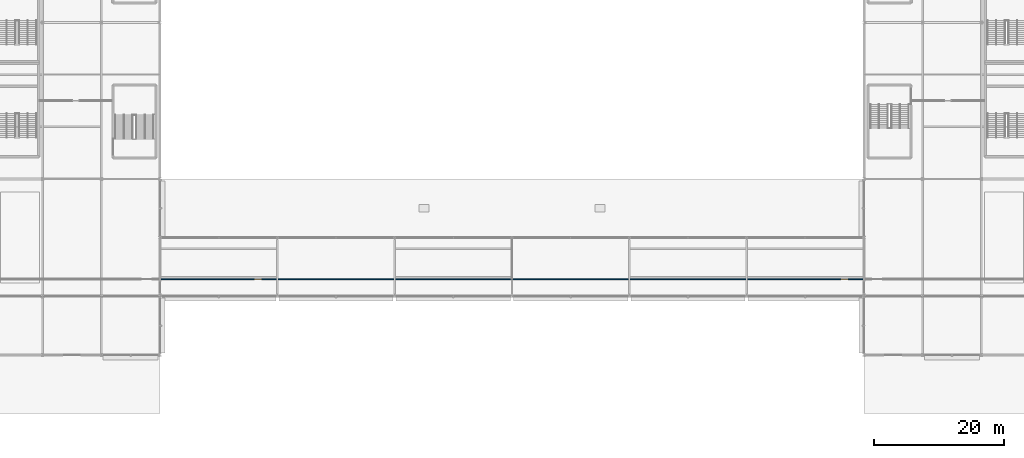
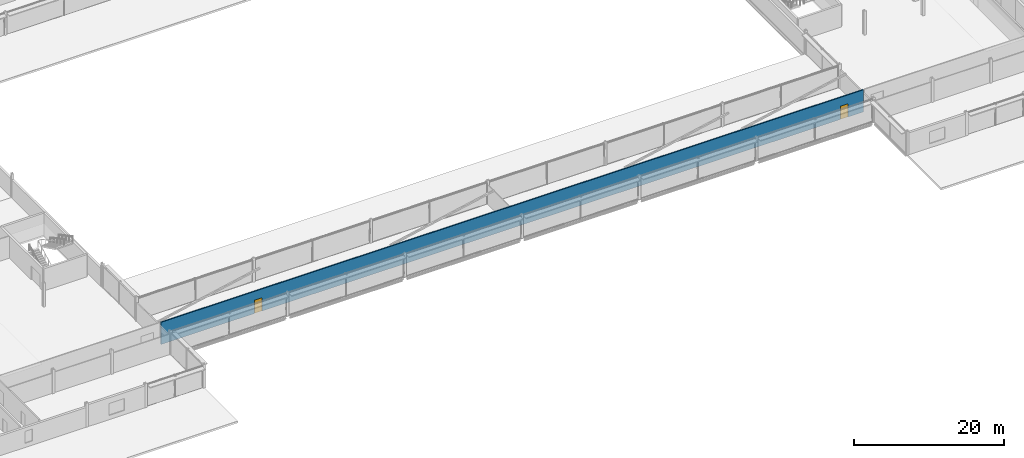
# One storey, part 62 of 105: 2 doors, 1 wall, 2 openings.
"""IFC4 building model written with IfcOpenShell, lengths in metres."""

import ifcopenshell
import ifcopenshell.guid

model = None  # the IFC model being written
_history = None  # IfcOwnerHistory: only IFC2X3 demands one
_inside = {}  # id of a spatial element -> (the spatial element, [elements in it])
_under = {}  # id of a project, library or spatial element -> (it, [spatial elements below it])
_declared = {}  # id of a project -> (the project, [libraries it declares])
_typed = {}  # id of a type object -> (the type object, [elements of that type])
_made_of = {}  # id of a material, layer set ... -> (it, [elements and type objects made of it])


def new_model(schema):
    """Start an empty IFC model of exactly this schema.

    Asked for "IFC4X3", IfcOpenShell would pick the latest addendum, in which some entities
    have other attributes; the version numbers below select the first issue.
    IFC2X3 requires an IfcOwnerHistory on every rooted entity: one is made here for all.
    """
    global model, _history
    if schema == "IFC4X3":
        model = ifcopenshell.file(schema_version=(4, 3, 0, 0))
    else:
        model = ifcopenshell.file(schema=schema)
    _inside.clear()
    _under.clear()
    _declared.clear()
    _typed.clear()
    _made_of.clear()
    _history = None
    if model.schema == "IFC2X3":
        org = make("IfcOrganization", Name="unknown")
        user = make(
            "IfcPersonAndOrganization",
            ThePerson=make("IfcPerson", FamilyName="unknown"),
            TheOrganization=org,
        )
        app = make(
            "IfcApplication",
            ApplicationDeveloper=org,
            Version="unknown",
            ApplicationFullName="unknown",
            ApplicationIdentifier="unknown",
        )
        _history = make(
            "IfcOwnerHistory",
            OwningUser=user,
            OwningApplication=app,
            ChangeAction="ADDED",
            CreationDate=0,
        )
    return model


def make(cls, **values):
    """One entity of the class cls with the attributes given. An attribute that is None is left unset."""
    return model.create_entity(
        cls, **{name: value for name, value in values.items() if value is not None}
    )


def rooted(cls, **values):
    """An entity with a GlobalId (a new one), such as an element, a storey or a relation."""
    return make(cls, GlobalId=ifcopenshell.guid.new(), OwnerHistory=_history, **values)


def si_unit(unit_type, name, prefix=None):
    """IfcSIUnit, for example si_unit("LENGTHUNIT", "METRE", prefix="MILLI")."""
    return make("IfcSIUnit", UnitType=unit_type, Prefix=prefix, Name=name)


def assignment(units):
    """IfcUnitAssignment: the units of a project."""
    return None if units is None else make("IfcUnitAssignment", Units=units)


def point(xyz):
    """IfcCartesianPoint."""
    return None if xyz is None else make("IfcCartesianPoint", Coordinates=xyz)


def direction(xyz):
    """IfcDirection."""
    return None if xyz is None else make("IfcDirection", DirectionRatios=xyz)


def frame(location, z_axis=None, x_axis=None):
    """IfcAxis2Placement3D, a coordinate frame: its origin and axes. An axis left out is left unset."""
    return make(
        "IfcAxis2Placement3D",
        Location=point(location),
        Axis=direction(z_axis),
        RefDirection=direction(x_axis),
    )


def frame_2d(location, x_axis=None):
    """IfcAxis2Placement2D, a coordinate frame in the plane: its origin and x axis."""
    return make(
        "IfcAxis2Placement2D", Location=point(location), RefDirection=direction(x_axis)
    )


def origin():
    """The frame at (0, 0, 0) with its axes left unset."""
    return frame((0.0, 0.0, 0.0))


def place(relative_to, where):
    """IfcLocalPlacement: puts the frame where relative to a parent placement (None: the world)."""
    return make(
        "IfcLocalPlacement", PlacementRelTo=relative_to, RelativePlacement=where
    )


def context(
    kind, dimensions, precision=None, world=None, true_north=None, identifier=None
):
    """IfcGeometricRepresentationContext, for example the 3D "Model" context."""
    return make(
        "IfcGeometricRepresentationContext",
        ContextIdentifier=identifier,
        ContextType=kind,
        CoordinateSpaceDimension=dimensions,
        Precision=precision,
        WorldCoordinateSystem=world,
        TrueNorth=true_north,
    )


def subcontext(parent, identifier, kind, view, scale=None):
    """IfcGeometricRepresentationSubContext, for example "Body" below "Model"."""
    return make(
        "IfcGeometricRepresentationSubContext",
        ContextIdentifier=identifier,
        ContextType=kind,
        ParentContext=parent,
        TargetScale=scale,
        TargetView=view,
    )


def project(units=None, contexts=None):
    """IfcProject with its units and contexts."""
    return rooted(
        "IfcProject",
        Name="project",
        RepresentationContexts=contexts,
        UnitsInContext=assignment(units),
    )


def spatial(cls, under=None, at=None, **own):
    """A site, building, storey or space (cls), placed at a placement, below another one or the project."""
    s = rooted(cls, ObjectPlacement=at, **own)
    if under is not None:
        _under.setdefault(under.id(), (under, []))[1].append(s)
    return s


def profile(cls, at=None, kind="AREA", **sizes):
    """A parametric profile (cls). Its sizes go by their IFC names, for example OverallWidth=200.0."""
    return make(cls, ProfileType=kind, Position=at, **sizes)


def rectangle(**sizes):
    """IfcRectangleProfileDef."""
    return profile("IfcRectangleProfileDef", **sizes)


def extrude(swept, where, along, depth):
    """IfcExtrudedAreaSolid: the profile swept, set in the frame where, extruded along a direction by depth."""
    return make(
        "IfcExtrudedAreaSolid",
        SweptArea=swept,
        Position=where,
        ExtrudedDirection=direction(along),
        Depth=depth,
    )


def shape(context_of_items, identifier, shape_type, items):
    """IfcShapeRepresentation: the items that make up one representation, for example the "Body"."""
    return make(
        "IfcShapeRepresentation",
        ContextOfItems=context_of_items,
        RepresentationIdentifier=identifier,
        RepresentationType=shape_type,
        Items=items,
    )


def material(Name=None, Category=None):
    """IfcMaterial."""
    return make("IfcMaterial", Name=Name, Category=Category)


def layer(
    of_material, thickness, ventilated=None, Name=None, Category=None, Priority=None
):
    """IfcMaterialLayer: one layer of a wall or slab, of a material (None: an air gap)."""
    return make(
        "IfcMaterialLayer",
        Material=of_material,
        LayerThickness=thickness,
        IsVentilated=ventilated,
        Name=Name,
        Category=Category,
        Priority=Priority,
    )


def layer_set(layers, Name=None):
    """IfcMaterialLayerSet."""
    return make("IfcMaterialLayerSet", MaterialLayers=layers, LayerSetName=Name)


def made_of(thing, what):
    """Note that an element or type object is made of a material, layer set ...; save() writes the relation."""
    if what is not None:
        _made_of.setdefault(what.id(), (what, []))[1].append(thing)
    return thing


def type_object(cls, material=None, **own):
    """A type object (cls), such as IfcWallType, which elements share."""
    return made_of(rooted(cls, **own), material)


def element(
    cls,
    number,
    at=None,
    inside=None,
    cuts=None,
    type_object=None,
    material=None,
    context=None,
    identifier="Body",
    shape_type=None,
    held_by="IfcProductDefinitionShape",
    body=None,
    shapes=None,
    **own,
):
    """One element of the class cls, such as IfcWall. Its Tag is "e" and its number.

    at: its placement. inside: the storey or other place that contains it. cuts: it is an
    opening in that element (IfcRelVoidsElement). A single representation is given by context,
    identifier, shape_type and body (its items); several are given by shapes. held_by: the class
    of the entity that holds the representations. save() writes the other relations.
    """
    e = rooted(cls, Tag="e%d" % number, ObjectPlacement=at, **own)
    if body is not None:
        shapes = [shape(context, identifier, shape_type, body)]
    if shapes is not None:
        e.Representation = make(held_by, Representations=shapes)
    if inside is not None:
        _inside.setdefault(inside.id(), (inside, []))[1].append(e)
    if cuts is not None:
        rooted(
            "IfcRelVoidsElement", RelatingBuildingElement=cuts, RelatedOpeningElement=e
        )
    if type_object is not None:
        _typed.setdefault(type_object.id(), (type_object, []))[1].append(e)
    return made_of(e, material)


def fill(opening, filler):
    """IfcRelFillsElement: the door or window that sits in an opening."""
    return rooted(
        "IfcRelFillsElement",
        RelatingOpeningElement=opening,
        RelatedBuildingElement=filler,
    )


def aggregate(whole, parts):
    """IfcRelAggregates: a whole, such as a stair, and the parts it consists of."""
    return rooted("IfcRelAggregates", RelatingObject=whole, RelatedObjects=parts)


def save(model, path):
    """Write the relations noted so far, then the file.

    IfcRelAggregates (storeys below a building ...), IfcRelContainedInSpatialStructure (elements
    in a storey), IfcRelDefinesByType, IfcRelAssociatesMaterial and IfcRelDeclares: one each for
    every whole, place, type object, material and project.
    """
    for whole, parts in _under.values():
        aggregate(whole, parts)
    for where, things in _inside.values():
        rooted(
            "IfcRelContainedInSpatialStructure",
            RelatedElements=things,
            RelatingStructure=where,
        )
    for kind, things in _typed.values():
        rooted("IfcRelDefinesByType", RelatedObjects=things, RelatingType=kind)
    for what, things in _made_of.values():
        rooted("IfcRelAssociatesMaterial", RelatedObjects=things, RelatingMaterial=what)
    for by, libraries in _declared.values():
        rooted("IfcRelDeclares", RelatingContext=by, RelatedDefinitions=libraries)
    model.write(path)


model = new_model("IFC4")

# Units and contexts
model_context = context("Model", 3, precision=1e-05, world=origin(), true_north=direction((0.0, 1.0)))
body_context = subcontext(model_context, "Body", "Model", "MODEL_VIEW")
ifc_project = project(units=[si_unit("LENGTHUNIT", "METRE"), si_unit("AREAUNIT", "SQUARE_METRE"), si_unit("VOLUMEUNIT", "CUBIC_METRE"), si_unit("PLANEANGLEUNIT", "RADIAN"), si_unit("MASSUNIT", "GRAM", prefix="KILO")], contexts=[model_context])

# Site, building, storey
site_placement = place(None, origin())
site = spatial("IfcSite", under=ifc_project, at=site_placement, CompositionType="ELEMENT")
building_placement = place(site_placement, origin())
building = spatial("IfcBuilding", under=site, at=building_placement, Name="Kisiwana Market Hall", CompositionType="ELEMENT")
storey_placement = place(building_placement, frame((0.0, 0.0, 21.60009765625)))
storey = spatial("IfcBuildingStorey", under=building, at=storey_placement, Name="L04", CompositionType="ELEMENT", Elevation=21.60009765625)

# Wall, openings, doors
ifc_material_1 = material(Name="Masonry blockwork", Category="masonry")
ifc_layer = layer(ifc_material_1, 0.169921875, Name="Protected corridor partition")
ifc_layer_set = layer_set([ifc_layer], Name="WL-CORR-170")
wall_type = type_object("IfcWallType", Name="WL-CORR-170", PredefinedType="PARTITIONING", material=ifc_layer_set)
wall_placement = place(storey_placement, frame((45.0849609375, 20.60009765625, 0.0), z_axis=(0.0, 0.0, 1.0), x_axis=(1.0, 0.0, 0.0)))
wall = element("IfcWall", 1, at=wall_placement, inside=storey, type_object=wall_type, Name="Interior partition W-1699", PredefinedType="PARTITIONING", context=body_context, shape_type="SweptSolid", body=[
    extrude(rectangle(XDim=107.830078125, YDim=0.169921875, at=frame_2d((53.9150390625, 0.0))), origin(), (0.0, 0.0, 1.0), 3.5849609375),
])
opening_1_placement = place(wall_placement, frame((14.340087890625, 0.0, 0.0)))
opening_1 = element("IfcOpeningElement", 2, at=opening_1_placement, cuts=wall, Name="Opening DR-L04-065", PredefinedType="OPENING", context=body_context, shape_type="SweptSolid", body=[
    extrude(rectangle(XDim=1.14990234375, YDim=2.14990234375, at=frame_2d((0.574951171875, 1.074951171875))), frame((0.0, 0.096923828125, 0.0), z_axis=(0.0, -1.0, 0.0), x_axis=(1.0, 0.0, 0.0)), (0.0, 0.0, 1.0), 0.19384765625),
])
opening_2_placement = place(wall_placement, frame((104.340087890625, 0.0, 0.0)))
opening_2 = element("IfcOpeningElement", 3, at=opening_2_placement, cuts=wall, Name="Opening DR-L04-066", PredefinedType="OPENING", context=body_context, shape_type="SweptSolid", body=[
    extrude(rectangle(XDim=1.14990234375, YDim=2.14990234375, at=frame_2d((0.574951171875, 1.074951171875))), frame((0.0, 0.096923828125, 0.0), z_axis=(0.0, -1.0, 0.0), x_axis=(1.0, 0.0, 0.0)), (0.0, 0.0, 1.0), 0.19384765625),
])
ifc_material_2 = material(Name="Aluminium alloy 6063-T6", Category="aluminium")
door_type = type_object("IfcDoorType", Name="DR-MEET-1150", OperationType="NOTDEFINED", PredefinedType="DOOR", material=ifc_material_2)
door_1_placement = place(opening_1_placement, origin())
door_1 = element("IfcDoor", 4, at=door_1_placement, inside=storey, type_object=door_type, Name="L04 Skybridge S1 Door", OperationType="SINGLE_SWING_LEFT", OverallHeight=2.14990234375, OverallWidth=1.14990234375, PredefinedType="DOOR", context=body_context, shape_type="SweptSolid", body=[
    extrude(rectangle(XDim=1.14990234375, YDim=2.14990234375, at=frame_2d((0.574951171875, 1.074951171875))), frame((0.0, 0.02490234375, 0.0), z_axis=(0.0, -1.0, 0.0), x_axis=(1.0, 0.0, 0.0)), (0.0, 0.0, 1.0), 0.050048828125),
])
fill(opening_1, door_1)
door_2_placement = place(opening_2_placement, origin())
door_2 = element("IfcDoor", 5, at=door_2_placement, inside=storey, type_object=door_type, Name="L04 Skybridge S2 Door", OperationType="SINGLE_SWING_RIGHT", OverallHeight=2.14990234375, OverallWidth=1.14990234375, PredefinedType="DOOR", context=body_context, shape_type="SweptSolid", body=[
    extrude(rectangle(XDim=1.14990234375, YDim=2.14990234375, at=frame_2d((0.574951171875, 1.074951171875))), frame((0.0, 0.02490234375, 0.0), z_axis=(0.0, -1.0, 0.0), x_axis=(1.0, 0.0, 0.0)), (0.0, 0.0, 1.0), 0.050048828125),
])
fill(opening_2, door_2)

save(model, "model.ifc")
